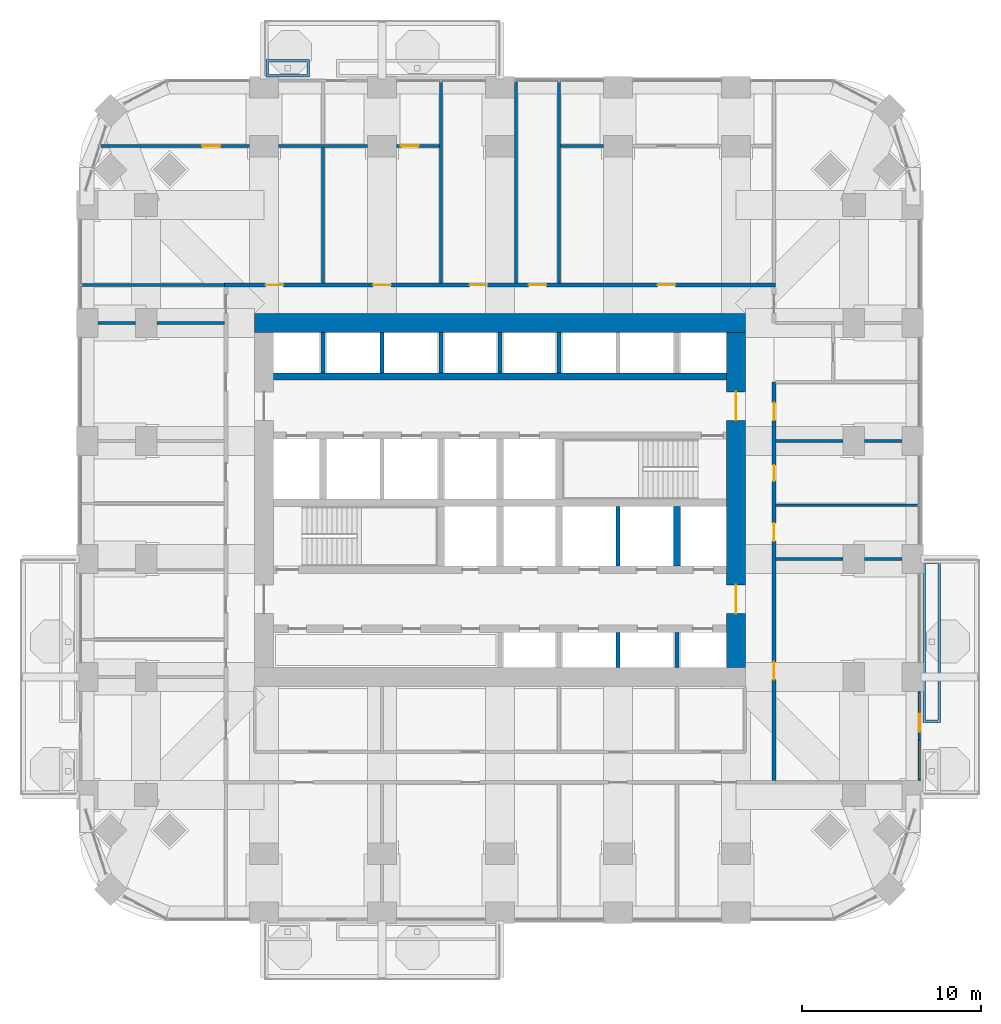
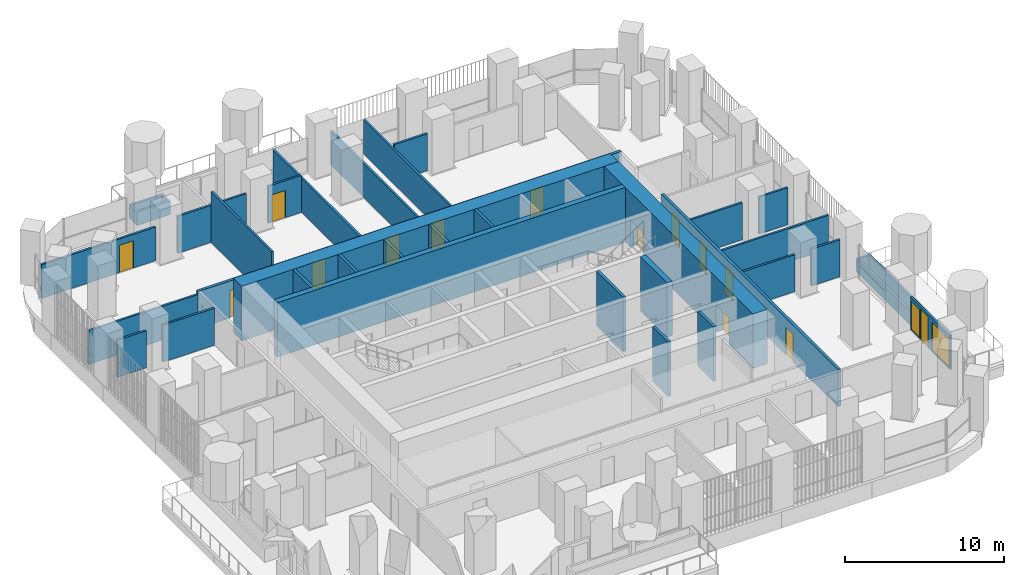
# One storey, part 15 of 21: 33 walls, 14 doors, 2 windows, 16 openings.
"""IFC4 building model written with IfcOpenShell, lengths in metres."""

from ifc_helpers import new_model, si_unit, direction, frame, frame_2d, origin, place, context, subcontext, project, spatial, polyline, rectangle, outline, extrude, material, layer, layer_set, type_object, element, fill, save


model = new_model("IFC4")

# Units and contexts
model_context = context("Model", 3, precision=1e-05, world=origin(), true_north=direction((0.0, 1.0)))
body_context = subcontext(model_context, "Body", "Model", "MODEL_VIEW")
ifc_project = project(units=[si_unit("LENGTHUNIT", "METRE"), si_unit("AREAUNIT", "SQUARE_METRE"), si_unit("VOLUMEUNIT", "CUBIC_METRE"), si_unit("PLANEANGLEUNIT", "RADIAN"), si_unit("MASSUNIT", "GRAM", prefix="KILO")], contexts=[model_context])

# Site, building, storey
site_placement = place(None, origin())
site = spatial("IfcSite", under=ifc_project, at=site_placement, CompositionType="ELEMENT")
building_placement = place(site_placement, origin())
building = spatial("IfcBuilding", under=site, at=building_placement, Name="Cobogo Forest Laboratory Tower", CompositionType="ELEMENT")
storey_placement = place(building_placement, frame((0.0, 0.0, 141.0)))
storey = spatial("IfcBuildingStorey", under=building, at=storey_placement, Name="L32", CompositionType="ELEMENT", Elevation=141.0)

# Walls
ifc_material_1 = material(Name="Concrete HA-50 (C50/60)", Category="concrete")
ifc_layer_1 = layer(ifc_material_1, 0.39990234375)
ifc_layer_set_1 = layer_set([ifc_layer_1], Name="CI400 core inner wall 400")
wall_type_1 = type_object("IfcWallType", Name="CI400 core inner wall 400", PredefinedType="SHEAR", material=ifc_layer_set_1)
wall_1_placement = place(storey_placement, frame((13.72509765625, 30.0, 0.0), z_axis=(0.0, 0.0, 1.0), x_axis=(1.0, 0.0, 0.0)))
element("IfcWall", 1, at=wall_1_placement, inside=storey, type_object=wall_type_1, Name="Core wall CI-30.0 L32", PredefinedType="SHEAR", context=body_context, shape_type="SweptSolid", body=[
    extrude(rectangle(XDim=25.349853515625, YDim=0.39990234375, at=frame_2d((12.6748046875, 0.0))), origin(), (0.0, 0.0, 1.0), 4.199951171875),
])
wall_2_placement = place(storey_placement, frame((36.300048828125, 19.39990234375, 0.0), z_axis=(0.0, 0.0, 1.0), x_axis=(0.0, 1.0, 0.0)))
element("IfcWall", 2, at=wall_2_placement, inside=storey, type_object=wall_type_1, Name="Core wall CX-36.3 L32", PredefinedType="SHEAR", context=body_context, shape_type="SweptSolid", body=[
    extrude(rectangle(XDim=3.35009765625, YDim=0.39990234375, at=frame_2d((1.675048828125, 0.0))), origin(), (0.0, 0.0, 1.0), 4.199951171875),
])

# Wall, openings, doors
ifc_layer_2 = layer(ifc_material_1, 1.050048828125)
ifc_layer_set_2 = layer_set([ifc_layer_2], Name="CW1050 core outer wall 1050")
wall_type_2 = type_object("IfcWallType", Name="CW1050 core outer wall 1050", PredefinedType="SHEAR", material=ifc_layer_set_2)
wall_3_placement = place(storey_placement, frame((39.60009765625, 13.72509765625, 0.0), z_axis=(0.0, 0.0, 1.0), x_axis=(0.0, 1.0, 0.0)))
wall_3 = element("IfcWall", 3, at=wall_3_placement, inside=storey, type_object=wall_type_2, Name="Core wall CO-E L32", PredefinedType="SHEAR", context=body_context, shape_type="SweptSolid", body=[
    extrude(rectangle(XDim=18.75, YDim=1.050048828125, at=frame_2d((9.375, 0.0))), origin(), (0.0, 0.0, 1.0), 4.199951171875),
])
opening_1_placement = place(wall_3_placement, frame((3.02490234375, 0.0, 0.0)))
opening_1 = element("IfcOpeningElement", 4, at=opening_1_placement, cuts=wall_3, Name="Opening L32-D21", PredefinedType="OPENING", context=body_context, shape_type="SweptSolid", body=[
    extrude(rectangle(XDim=1.60009765625, YDim=2.10009765625, at=frame_2d((0.800048828125, 1.050048828125))), frame((0.0, 0.534912109375, 0.0), z_axis=(0.0, -1.0, 0.0), x_axis=(1.0, 0.0, 0.0)), (0.0, 0.0, 1.0), 1.070068359375),
])
opening_2_placement = place(wall_3_placement, frame((13.824951171875, 0.0, 0.0)))
opening_2 = element("IfcOpeningElement", 5, at=opening_2_placement, cuts=wall_3, Name="Opening L32-D32", PredefinedType="OPENING", context=body_context, shape_type="SweptSolid", body=[
    extrude(rectangle(XDim=1.60009765625, YDim=2.10009765625, at=frame_2d((0.800048828125, 1.050048828125))), frame((0.0, 0.534912109375, 0.0), z_axis=(0.0, -1.0, 0.0), x_axis=(1.0, 0.0, 0.0)), (0.0, 0.0, 1.0), 1.070068359375),
])
ifc_material_2 = material(Name="Steel fire door", Category="steel")
door_type_1 = type_object("IfcDoorType", Name="DS2 protected lobby door pair 1600 EI2 60", OperationType="DOUBLE_DOOR_DOUBLE_SWING", PredefinedType="DOOR", material=ifc_material_2)
door_1_placement = place(opening_1_placement, origin())
door_1 = element("IfcDoor", 6, at=door_1_placement, inside=storey, type_object=door_type_1, Name="Door L32-CO-E-S", OperationType="DOUBLE_DOOR_DOUBLE_SWING", OverallHeight=2.10009765625, OverallWidth=1.60009765625, PredefinedType="DOOR", context=body_context, shape_type="SweptSolid", body=[
    extrude(rectangle(XDim=1.60009765625, YDim=2.10009765625, at=frame_2d((0.800048828125, 1.050048828125))), frame((0.0, 0.02490234375, 0.0), z_axis=(0.0, -1.0, 0.0), x_axis=(1.0, 0.0, 0.0)), (0.0, 0.0, 1.0), 0.050048828125),
])
fill(opening_1, door_1)
door_2_placement = place(opening_2_placement, origin())
door_2 = element("IfcDoor", 7, at=door_2_placement, inside=storey, type_object=door_type_1, Name="Door L32-CO-E-N", OperationType="DOUBLE_DOOR_DOUBLE_SWING", OverallHeight=2.10009765625, OverallWidth=1.60009765625, PredefinedType="DOOR", context=body_context, shape_type="SweptSolid", body=[
    extrude(rectangle(XDim=1.60009765625, YDim=2.10009765625, at=frame_2d((0.800048828125, 1.050048828125))), frame((0.0, 0.02490234375, 0.0), z_axis=(0.0, -1.0, 0.0), x_axis=(1.0, 0.0, 0.0)), (0.0, 0.0, 1.0), 0.050048828125),
])
fill(opening_2, door_2)

# Wall
wall_4_placement = place(storey_placement, frame((40.125, 33.0, 0.0), z_axis=(0.0, 0.0, 1.0), x_axis=(-1.0, 0.0, 0.0)))
element("IfcWall", 8, at=wall_4_placement, inside=storey, type_object=wall_type_2, Name="Core wall CO-N L32", PredefinedType="SHEAR", context=body_context, shape_type="SweptSolid", body=[
    extrude(rectangle(XDim=27.449951171875, YDim=1.050048828125, at=frame_2d((13.72509765625, 0.0))), origin(), (0.0, 0.0, 1.0), 4.199951171875),
])

# Wall, openings, door, windows
ifc_material_3 = material(Name="Aluminium framed glazed screen", Category="aluminium")
ifc_layer_3 = layer(ifc_material_3, 0.14990234375)
ifc_layer_set_3 = layer_set([ifc_layer_3], Name="GS1 glazed door screen 150")
wall_type_3 = type_object("IfcWallType", Name="GS1 glazed door screen 150", PredefinedType="SOLIDWALL", material=ifc_layer_set_3)
wall_5_placement = place(storey_placement, frame((49.85009765625, 7.39990234375, 0.0), z_axis=(0.0, 0.0, 1.0), x_axis=(0.0, 1.0, 0.0)))
wall_5 = element("IfcWall", 9, at=wall_5_placement, inside=storey, type_object=wall_type_3, Name="Door screen BAL-E1 L32", PredefinedType="SOLIDWALL", context=body_context, shape_type="SweptSolid", body=[
    extrude(rectangle(XDim=5.0, YDim=0.14990234375, at=frame_2d((2.5, 0.0))), origin(), (0.0, 0.0, 1.0), 2.60009765625),
])
opening_3_placement = place(wall_5_placement, frame((2.75, 0.0, 0.0)))
opening_3 = element("IfcOpeningElement", 10, at=opening_3_placement, cuts=wall_5, Name="Opening L32-D12", PredefinedType="OPENING", context=body_context, shape_type="SweptSolid", body=[
    extrude(rectangle(XDim=1.0, YDim=2.39990234375, at=frame_2d((0.5, 1.199951171875))), frame((0.0, 0.0849609375, 0.0), z_axis=(0.0, -1.0, 0.0), x_axis=(1.0, 0.0, 0.0)), (0.0, 0.0, 1.0), 0.169921875),
])
opening_4_placement = place(wall_5_placement, frame((0.10009765625, 0.0, 0.10009765625)))
opening_4 = element("IfcOpeningElement", 11, at=opening_4_placement, cuts=wall_5, Name="Opening L32-W04", PredefinedType="OPENING", context=body_context, shape_type="SweptSolid", body=[
    extrude(rectangle(XDim=2.14990234375, YDim=2.199951171875, at=frame_2d((1.074951171875, 1.10009765625))), frame((0.0, 0.0849609375, 0.0), z_axis=(0.0, -1.0, 0.0), x_axis=(1.0, 0.0, 0.0)), (0.0, 0.0, 1.0), 0.169921875),
])
opening_5_placement = place(wall_5_placement, frame((3.85009765625, 0.0, 0.10009765625)))
opening_5 = element("IfcOpeningElement", 12, at=opening_5_placement, cuts=wall_5, Name="Opening L32-W06", PredefinedType="OPENING", context=body_context, shape_type="SweptSolid", body=[
    extrude(rectangle(XDim=1.050048828125, YDim=2.199951171875, at=frame_2d((0.52490234375, 1.10009765625))), frame((0.0, 0.0849609375, 0.0), z_axis=(0.0, -1.0, 0.0), x_axis=(1.0, 0.0, 0.0)), (0.0, 0.0, 1.0), 0.169921875),
])
ifc_material_4 = material(Name="Aluminium glazed door", Category="aluminium")
door_type_2 = type_object("IfcDoorType", Name="DB1 balcony door 1000 glazed", OperationType="SINGLE_SWING_LEFT", PredefinedType="DOOR", material=ifc_material_4)
door_3_placement = place(opening_3_placement, origin())
door_3 = element("IfcDoor", 13, at=door_3_placement, inside=storey, type_object=door_type_2, Name="Door L32-BAL-E1", OperationType="SINGLE_SWING_RIGHT", OverallHeight=2.39990234375, OverallWidth=1.0, PredefinedType="DOOR", context=body_context, shape_type="SweptSolid", body=[
    extrude(rectangle(XDim=1.0, YDim=2.39990234375, at=frame_2d((0.5, 1.199951171875))), frame((0.0, 0.02490234375, 0.0), z_axis=(0.0, -1.0, 0.0), x_axis=(1.0, 0.0, 0.0)), (0.0, 0.0, 1.0), 0.050048828125),
])
fill(opening_3, door_3)
ifc_material_5 = material(Name="Aluminium framed glazing", Category="aluminium")
window_type_1 = type_object("IfcWindowType", Name="WG17 fixed glazed light 2150x2200", PartitioningType="SINGLE_PANEL", PredefinedType="WINDOW", material=ifc_material_5)
window_1_placement = place(opening_4_placement, origin())
window_1 = element("IfcWindow", 14, at=window_1_placement, inside=storey, type_object=window_type_1, Name="Window L32-BAL-E1-1", OverallHeight=2.199951171875, OverallWidth=2.14990234375, PartitioningType="SINGLE_PANEL", PredefinedType="WINDOW", context=body_context, shape_type="SweptSolid", body=[
    extrude(rectangle(XDim=2.14990234375, YDim=2.199951171875, at=frame_2d((1.074951171875, 1.10009765625))), frame((0.0, 0.030029296875, 0.0), z_axis=(0.0, -1.0, 0.0), x_axis=(1.0, 0.0, 0.0)), (0.0, 0.0, 1.0), 0.06005859375),
])
fill(opening_4, window_1)
window_type_2 = type_object("IfcWindowType", Name="WG18 fixed glazed light 1050x2200", PartitioningType="SINGLE_PANEL", PredefinedType="WINDOW", material=ifc_material_5)
window_2_placement = place(opening_5_placement, origin())
window_2 = element("IfcWindow", 15, at=window_2_placement, inside=storey, type_object=window_type_2, Name="Window L32-BAL-E1-2", OverallHeight=2.199951171875, OverallWidth=1.050048828125, PartitioningType="SINGLE_PANEL", PredefinedType="WINDOW", context=body_context, shape_type="SweptSolid", body=[
    extrude(rectangle(XDim=1.050048828125, YDim=2.199951171875, at=frame_2d((0.52490234375, 1.10009765625))), frame((0.0, 0.030029296875, 0.0), z_axis=(0.0, -1.0, 0.0), x_axis=(1.0, 0.0, 0.0)), (0.0, 0.0, 1.0), 0.06005859375),
])
fill(opening_5, window_2)

# Walls
ifc_material_6 = material(Name="Gypsum board on steel studs", Category="steel")
ifc_layer_4 = layer(ifc_material_6, 0.14990234375)
ifc_layer_set_4 = layer_set([ifc_layer_4], Name="PT1 laboratory partition 150")
wall_type_4 = type_object("IfcWallType", Name="PT1 laboratory partition 150", PredefinedType="PARTITIONING", material=ifc_layer_set_4)
for number, where, z_axis, x_axis, name in (
    (16, (3.030029296875, 35.125, 0.0), (0.0, 0.0, 1.0), (1.0, 0.0, 0.0), "Partition PW-NW L32"),
    (17, (49.77001953125, 22.800048828125, 0.0), (0.0, 0.0, 1.0), (-1.0, 0.0, 0.0), "Partition SVC-E1-1 L32"),
):
    element("IfcWall", number, at=place(storey_placement, frame(where, z_axis=z_axis, x_axis=x_axis)), inside=storey, type_object=wall_type_4, Name=name, PredefinedType="PARTITIONING", context=body_context, shape_type="SweptSolid", body=[
        extrude(rectangle(XDim=7.945068359375, YDim=0.14990234375, at=frame_2d((3.97265625, 0.0))), origin(), (0.0, 0.0, 1.0), 2.60009765625),
    ])
wall_6_placement = place(storey_placement, frame((48.89990234375, 26.39990234375, 0.0), z_axis=(0.0, 0.0, 1.0), x_axis=(-1.0, 0.0, 0.0)))
element("IfcWall", 18, at=wall_6_placement, inside=storey, type_object=wall_type_4, Name="Partition SVC-E2-1 L32", PredefinedType="PARTITIONING", context=body_context, shape_type="SweptSolid", body=[
    extrude(rectangle(XDim=2.099853515625, YDim=0.14990234375, at=frame_2d((1.0498046875, 0.0))), origin(), (0.0, 0.0, 1.0), 2.85009765625),
])
wall_7_placement = place(storey_placement, frame((45.60009765625, 26.39990234375, 0.0), z_axis=(0.0, 0.0, 1.0), x_axis=(-1.0, 0.0, 0.0)))
element("IfcWall", 19, at=wall_7_placement, inside=storey, type_object=wall_type_4, Name="Partition SVC-E2-2 L32", PredefinedType="PARTITIONING", context=body_context, shape_type="SweptSolid", body=[
    extrude(rectangle(XDim=3.775146484375, YDim=0.14990234375, at=frame_2d((1.8876953125, 0.0))), origin(), (0.0, 0.0, 1.0), 2.85009765625),
])
wall_8_placement = place(storey_placement, frame((48.89990234375, 19.800048828125, 0.0), z_axis=(0.0, 0.0, 1.0), x_axis=(-1.0, 0.0, 0.0)))
element("IfcWall", 20, at=wall_8_placement, inside=storey, type_object=wall_type_4, Name="Partition CUT-E19.8-1 L32", PredefinedType="PARTITIONING", context=body_context, shape_type="SweptSolid", body=[
    extrude(rectangle(XDim=2.099853515625, YDim=0.14990234375, at=frame_2d((1.0498046875, 0.0))), origin(), (0.0, 0.0, 1.0), 2.85009765625),
])
wall_9_placement = place(storey_placement, frame((45.60009765625, 19.800048828125, 0.0), z_axis=(0.0, 0.0, 1.0), x_axis=(-1.0, 0.0, 0.0)))
element("IfcWall", 21, at=wall_9_placement, inside=storey, type_object=wall_type_4, Name="Partition CUT-E19.8-2 L32", PredefinedType="PARTITIONING", context=body_context, shape_type="SweptSolid", body=[
    extrude(rectangle(XDim=3.775146484375, YDim=0.14990234375, at=frame_2d((1.8876953125, 0.0))), origin(), (0.0, 0.0, 1.0), 2.85009765625),
])
wall_10_placement = place(storey_placement, frame((32.199951171875, 42.89990234375, 0.0), z_axis=(0.0, 0.0, 1.0), x_axis=(-1.0, 0.0, 0.0)))
element("IfcWall", 22, at=wall_10_placement, inside=storey, type_object=wall_type_4, Name="Partition STRIP-N-3 L32", PredefinedType="PARTITIONING", context=body_context, shape_type="SweptSolid", body=[
    extrude(rectangle(XDim=2.425048828125, YDim=0.14990234375, at=frame_2d((1.21240234375, 0.0))), origin(), (0.0, 0.0, 1.0), 2.85009765625),
])

# Wall, opening, door
wall_11_placement = place(storey_placement, frame((23.02490234375, 42.89990234375, 0.0), z_axis=(0.0, 0.0, 1.0), x_axis=(-1.0, 0.0, 0.0)))
wall_11 = element("IfcWall", 23, at=wall_11_placement, inside=storey, type_object=wall_type_4, Name="Partition STRIP-N-4 L32", PredefinedType="PARTITIONING", context=body_context, shape_type="SweptSolid", body=[
    extrude(rectangle(XDim=2.4248046875, YDim=0.14990234375, at=frame_2d((1.21240234375, 0.0))), origin(), (0.0, 0.0, 1.0), 2.85009765625),
])
opening_6_placement = place(wall_11_placement, frame((1.175048828125, 0.0, 0.0)))
opening_6 = element("IfcOpeningElement", 24, at=opening_6_placement, cuts=wall_11, Name="Opening L32-D43", PredefinedType="OPENING", context=body_context, shape_type="SweptSolid", body=[
    extrude(rectangle(XDim=1.0, YDim=2.10009765625, at=frame_2d((0.5, 1.050048828125))), frame((0.0, 0.0849609375, 0.0), z_axis=(0.0, -1.0, 0.0), x_axis=(1.0, 0.0, 0.0)), (0.0, 0.0, 1.0), 0.169921875),
])
ifc_material_7 = material(Name="Timber fire door", Category="wood")
door_type_3 = type_object("IfcDoorType", Name="FD2 fire door 1000 EI2 30", OperationType="SINGLE_SWING_LEFT", PredefinedType="DOOR", material=ifc_material_7)
door_4_placement = place(opening_6_placement, origin())
door_4 = element("IfcDoor", 25, at=door_4_placement, inside=storey, type_object=door_type_3, Name="Door L32-N2W", OperationType="SINGLE_SWING_RIGHT", OverallHeight=2.10009765625, OverallWidth=1.0, PredefinedType="DOOR", context=body_context, shape_type="SweptSolid", body=[
    extrude(rectangle(XDim=1.0, YDim=2.10009765625, at=frame_2d((0.5, 1.050048828125))), frame((0.0, 0.02490234375, 0.0), z_axis=(0.0, -1.0, 0.0), x_axis=(1.0, 0.0, 0.0)), (0.0, 0.0, 1.0), 0.050048828125),
])
fill(opening_6, door_4)

# Wall
wall_12_placement = place(storey_placement, frame((19.0, 42.89990234375, 0.0), z_axis=(0.0, 0.0, 1.0), x_axis=(-1.0, 0.0, 0.0)))
element("IfcWall", 26, at=wall_12_placement, inside=storey, type_object=wall_type_4, Name="Partition STRIP-N-5 L32", PredefinedType="PARTITIONING", context=body_context, shape_type="SweptSolid", body=[
    extrude(rectangle(XDim=5.0, YDim=0.14990234375, at=frame_2d((2.5, 0.0))), origin(), (0.0, 0.0, 1.0), 2.85009765625),
])

# Wall, opening, door
wall_13_placement = place(storey_placement, frame((12.39990234375, 42.89990234375, 0.0), z_axis=(0.0, 0.0, 1.0), x_axis=(-1.0, 0.0, 0.0)))
wall_13 = element("IfcWall", 27, at=wall_13_placement, inside=storey, type_object=wall_type_4, Name="Partition STRIP-N-6 L32", PredefinedType="PARTITIONING", context=body_context, shape_type="SweptSolid", body=[
    extrude(rectangle(XDim=8.323974609375, YDim=0.14990234375, at=frame_2d((4.162109375, 0.0))), origin(), (0.0, 0.0, 1.0), 2.60009765625),
])
opening_7_placement = place(wall_13_placement, frame((1.64208984375, 0.0, 0.0)))
opening_7 = element("IfcOpeningElement", 28, at=opening_7_placement, cuts=wall_13, Name="Opening L32-D42", PredefinedType="OPENING", context=body_context, shape_type="SweptSolid", body=[
    extrude(rectangle(XDim=1.0, YDim=2.10009765625, at=frame_2d((0.5, 1.050048828125))), frame((0.0, 0.0849609375, 0.0), z_axis=(0.0, -1.0, 0.0), x_axis=(1.0, 0.0, 0.0)), (0.0, 0.0, 1.0), 0.169921875),
])
door_5_placement = place(opening_7_placement, origin())
door_5 = element("IfcDoor", 29, at=door_5_placement, inside=storey, type_object=door_type_3, Name="Door L32-N1W", OperationType="SINGLE_SWING_LEFT", OverallHeight=2.10009765625, OverallWidth=1.0, PredefinedType="DOOR", context=body_context, shape_type="SweptSolid", body=[
    extrude(rectangle(XDim=1.0, YDim=2.10009765625, at=frame_2d((0.5, 1.050048828125))), frame((0.0, 0.02490234375, 0.0), z_axis=(0.0, -1.0, 0.0), x_axis=(1.0, 0.0, 0.0)), (0.0, 0.0, 1.0), 0.050048828125),
])
fill(opening_7, door_5)

# Walls
wall_14_placement = place(storey_placement, frame((27.300048828125, 46.469970703125, 0.0), z_axis=(0.0, 0.0, 1.0), x_axis=(0.0, -1.0, 0.0)))
element("IfcWall", 30, at=wall_14_placement, inside=storey, type_object=wall_type_4, Name="Partition SVC-N1-1 L32", PredefinedType="PARTITIONING", context=body_context, shape_type="SweptSolid", body=[
    extrude(rectangle(XDim=11.244873046875, YDim=0.14990234375, at=frame_2d((5.62255859375, 0.0))), origin(), (0.0, 0.0, 1.0), 2.60009765625),
])
wall_15_placement = place(storey_placement, frame((16.5, 42.824951171875, 0.0), z_axis=(0.0, 0.0, 1.0), x_axis=(0.0, -1.0, 0.0)))
element("IfcWall", 31, at=wall_15_placement, inside=storey, type_object=wall_type_4, Name="Partition CUT-N16.5b-1 L32", PredefinedType="PARTITIONING", context=body_context, shape_type="SweptSolid", body=[
    extrude(rectangle(XDim=7.599853515625, YDim=0.14990234375, at=frame_2d((3.7998046875, 0.0))), origin(), (0.0, 0.0, 1.0), 3.89990234375),
])
for number, where, z_axis, x_axis, name in (
    (32, (23.10009765625, 46.469970703125, 0.0), (0.0, 0.0, 1.0), (0.0, -1.0, 0.0), "Partition CUT-N23.1-1 L32"),
    (33, (29.699951171875, 46.469970703125, 0.0), (0.0, 0.0, 1.0), (0.0, -1.0, 0.0), "Partition CUT-N29.7-1 L32"),
):
    element("IfcWall", number, at=place(storey_placement, frame(where, z_axis=z_axis, x_axis=x_axis)), inside=storey, type_object=wall_type_4, Name=name, PredefinedType="PARTITIONING", context=body_context, shape_type="SweptSolid", body=[
        extrude(rectangle(XDim=11.244873046875, YDim=0.14990234375, at=frame_2d((5.62255859375, 0.0))), origin(), (0.0, 0.0, 1.0), 2.60009765625),
    ])
wall_16_placement = place(storey_placement, frame((3.89990234375, 33.0, 0.0), z_axis=(0.0, 0.0, 1.0), x_axis=(1.0, 0.0, 0.0)))
element("IfcWall", 34, at=wall_16_placement, inside=storey, type_object=wall_type_4, Name="Partition CUT-W33-1 L32", PredefinedType="PARTITIONING", context=body_context, shape_type="SweptSolid", body=[
    extrude(rectangle(XDim=2.10009765625, YDim=0.14990234375, at=frame_2d((1.050048828125, 0.0))), origin(), (0.0, 0.0, 1.0), 2.85009765625),
])
wall_17_placement = place(storey_placement, frame((7.199951171875, 33.0, 0.0), z_axis=(0.0, 0.0, 1.0), x_axis=(1.0, 0.0, 0.0)))
element("IfcWall", 35, at=wall_17_placement, inside=storey, type_object=wall_type_4, Name="Partition CUT-W33-2 L32", PredefinedType="PARTITIONING", context=body_context, shape_type="SweptSolid", body=[
    extrude(rectangle(XDim=3.775146484375, YDim=0.14990234375, at=frame_2d((1.8876953125, 0.0))), origin(), (0.0, 0.0, 1.0), 2.85009765625),
])

# Wall, openings, doors
ifc_layer_5 = layer(ifc_material_6, 0.199951171875)
ifc_layer_set_5 = layer_set([ifc_layer_5], Name="PT2 fire-rated corridor partition 200")
wall_type_5 = type_object("IfcWallType", Name="PT2 fire-rated corridor partition 200", PredefinedType="PARTITIONING", material=ifc_layer_set_5)
wall_18_placement = place(storey_placement, frame((10.97509765625, 35.125, 0.0), z_axis=(0.0, 0.0, 1.0), x_axis=(1.0, 0.0, 0.0)))
wall_18 = element("IfcWall", 36, at=wall_18_placement, inside=storey, type_object=wall_type_5, Name="Partition CORR-N L32", PredefinedType="PARTITIONING", context=body_context, shape_type="SweptSolid", body=[
    extrude(rectangle(XDim=30.849853515625, YDim=0.199951171875, at=frame_2d((15.4248046875, 0.0))), origin(), (0.0, 0.0, 1.0), 2.85009765625),
])
opening_8_placement = place(wall_18_placement, frame((2.3125, 0.0, 0.0)))
opening_8 = element("IfcOpeningElement", 37, at=opening_8_placement, cuts=wall_18, Name="Opening L32-D37", PredefinedType="OPENING", context=body_context, shape_type="SweptSolid", body=[
    extrude(rectangle(XDim=1.0, YDim=2.10009765625, at=frame_2d((0.5, 1.050048828125))), frame((0.0, 0.10986328125, 0.0), z_axis=(0.0, -1.0, 0.0), x_axis=(1.0, 0.0, 0.0)), (0.0, 0.0, 1.0), 0.219970703125),
])
opening_9_placement = place(wall_18_placement, frame((8.324951171875, 0.0, 0.0)))
opening_9 = element("IfcOpeningElement", 38, at=opening_9_placement, cuts=wall_18, Name="Opening L32-D38", PredefinedType="OPENING", context=body_context, shape_type="SweptSolid", body=[
    extrude(rectangle(XDim=1.0, YDim=2.10009765625, at=frame_2d((0.5, 1.050048828125))), frame((0.0, 0.10986328125, 0.0), z_axis=(0.0, -1.0, 0.0), x_axis=(1.0, 0.0, 0.0)), (0.0, 0.0, 1.0), 0.219970703125),
])
opening_10_placement = place(wall_18_placement, frame((13.72509765625, 0.0, 0.0)))
opening_10 = element("IfcOpeningElement", 39, at=opening_10_placement, cuts=wall_18, Name="Opening L32-D39", PredefinedType="OPENING", context=body_context, shape_type="SweptSolid", body=[
    extrude(rectangle(XDim=1.0, YDim=2.10009765625, at=frame_2d((0.5, 1.050048828125))), frame((0.0, 0.10986328125, 0.0), z_axis=(0.0, -1.0, 0.0), x_axis=(1.0, 0.0, 0.0)), (0.0, 0.0, 1.0), 0.219970703125),
])
opening_11_placement = place(wall_18_placement, frame((17.02490234375, 0.0, 0.0)))
opening_11 = element("IfcOpeningElement", 40, at=opening_11_placement, cuts=wall_18, Name="Opening L32-D40", PredefinedType="OPENING", context=body_context, shape_type="SweptSolid", body=[
    extrude(rectangle(XDim=1.0, YDim=2.10009765625, at=frame_2d((0.5, 1.050048828125))), frame((0.0, 0.10986328125, 0.0), z_axis=(0.0, -1.0, 0.0), x_axis=(1.0, 0.0, 0.0)), (0.0, 0.0, 1.0), 0.219970703125),
])
opening_12_placement = place(wall_18_placement, frame((24.237548828125, 0.0, 0.0)))
opening_12 = element("IfcOpeningElement", 41, at=opening_12_placement, cuts=wall_18, Name="Opening L32-D41", PredefinedType="OPENING", context=body_context, shape_type="SweptSolid", body=[
    extrude(rectangle(XDim=1.0, YDim=2.10009765625, at=frame_2d((0.5, 1.050048828125))), frame((0.0, 0.10986328125, 0.0), z_axis=(0.0, -1.0, 0.0), x_axis=(1.0, 0.0, 0.0)), (0.0, 0.0, 1.0), 0.219970703125),
])
door_6_placement = place(opening_8_placement, origin())
door_6 = element("IfcDoor", 42, at=door_6_placement, inside=storey, type_object=door_type_3, Name="Door L32-N1", OperationType="SINGLE_SWING_LEFT", OverallHeight=2.10009765625, OverallWidth=1.0, PredefinedType="DOOR", context=body_context, shape_type="SweptSolid", body=[
    extrude(rectangle(XDim=1.0, YDim=2.10009765625, at=frame_2d((0.5, 1.050048828125))), frame((0.0, 0.02490234375, 0.0), z_axis=(0.0, -1.0, 0.0), x_axis=(1.0, 0.0, 0.0)), (0.0, 0.0, 1.0), 0.050048828125),
])
fill(opening_8, door_6)
door_7_placement = place(opening_9_placement, origin())
door_7 = element("IfcDoor", 43, at=door_7_placement, inside=storey, type_object=door_type_3, Name="Door L32-N2", OperationType="SINGLE_SWING_LEFT", OverallHeight=2.10009765625, OverallWidth=1.0, PredefinedType="DOOR", context=body_context, shape_type="SweptSolid", body=[
    extrude(rectangle(XDim=1.0, YDim=2.10009765625, at=frame_2d((0.5, 1.050048828125))), frame((0.0, 0.02490234375, 0.0), z_axis=(0.0, -1.0, 0.0), x_axis=(1.0, 0.0, 0.0)), (0.0, 0.0, 1.0), 0.050048828125),
])
fill(opening_9, door_7)
door_8_placement = place(opening_10_placement, origin())
door_8 = element("IfcDoor", 44, at=door_8_placement, inside=storey, type_object=door_type_3, Name="Door L32-MTG", OperationType="SINGLE_SWING_LEFT", OverallHeight=2.10009765625, OverallWidth=1.0, PredefinedType="DOOR", context=body_context, shape_type="SweptSolid", body=[
    extrude(rectangle(XDim=1.0, YDim=2.10009765625, at=frame_2d((0.5, 1.050048828125))), frame((0.0, 0.02490234375, 0.0), z_axis=(0.0, -1.0, 0.0), x_axis=(1.0, 0.0, 0.0)), (0.0, 0.0, 1.0), 0.050048828125),
])
fill(opening_10, door_8)
door_9_placement = place(opening_11_placement, origin())
door_9 = element("IfcDoor", 45, at=door_9_placement, inside=storey, type_object=door_type_3, Name="Door L32-PAN", OperationType="SINGLE_SWING_RIGHT", OverallHeight=2.10009765625, OverallWidth=1.0, PredefinedType="DOOR", context=body_context, shape_type="SweptSolid", body=[
    extrude(rectangle(XDim=1.0, YDim=2.10009765625, at=frame_2d((0.5, 1.050048828125))), frame((0.0, 0.02490234375, 0.0), z_axis=(0.0, -1.0, 0.0), x_axis=(1.0, 0.0, 0.0)), (0.0, 0.0, 1.0), 0.050048828125),
])
fill(opening_11, door_9)
door_10_placement = place(opening_12_placement, origin())
door_10 = element("IfcDoor", 46, at=door_10_placement, inside=storey, type_object=door_type_3, Name="Door L32-N4", OperationType="SINGLE_SWING_RIGHT", OverallHeight=2.10009765625, OverallWidth=1.0, PredefinedType="DOOR", context=body_context, shape_type="SweptSolid", body=[
    extrude(rectangle(XDim=1.0, YDim=2.10009765625, at=frame_2d((0.5, 1.050048828125))), frame((0.0, 0.02490234375, 0.0), z_axis=(0.0, -1.0, 0.0), x_axis=(1.0, 0.0, 0.0)), (0.0, 0.0, 1.0), 0.050048828125),
])
fill(opening_12, door_10)

wall_19_placement = place(storey_placement, frame((41.72509765625, 7.39990234375, 0.0), z_axis=(0.0, 0.0, 1.0), x_axis=(0.0, 1.0, 0.0)))
wall_19 = element("IfcWall", 47, at=wall_19_placement, inside=storey, type_object=wall_type_5, Name="Partition CORR-E-1 L32", PredefinedType="PARTITIONING", context=body_context, shape_type="SweptSolid", body=[
    extrude(rectangle(XDim=22.300048828125, YDim=0.199951171875, at=frame_2d((11.14990234375, 0.0))), origin(), (0.0, 0.0, 1.0), 2.85009765625),
])
opening_13_placement = place(wall_19_placement, frame((5.64990234375, 0.0, 0.0)))
opening_13 = element("IfcOpeningElement", 48, at=opening_13_placement, cuts=wall_19, Name="Opening L32-D13", PredefinedType="OPENING", context=body_context, shape_type="SweptSolid", body=[
    extrude(rectangle(XDim=1.0, YDim=2.10009765625, at=frame_2d((0.5, 1.050048828125))), frame((0.0, 0.10986328125, 0.0), z_axis=(0.0, -1.0, 0.0), x_axis=(1.0, 0.0, 0.0)), (0.0, 0.0, 1.0), 0.219970703125),
])
opening_14_placement = place(wall_19_placement, frame((13.39990234375, 0.0, 0.0)))
opening_14 = element("IfcOpeningElement", 49, at=opening_14_placement, cuts=wall_19, Name="Opening L32-D26", PredefinedType="OPENING", context=body_context, shape_type="SweptSolid", body=[
    extrude(rectangle(XDim=1.0, YDim=2.10009765625, at=frame_2d((0.5, 1.050048828125))), frame((0.0, 0.10986328125, 0.0), z_axis=(0.0, -1.0, 0.0), x_axis=(1.0, 0.0, 0.0)), (0.0, 0.0, 1.0), 0.219970703125),
])
opening_15_placement = place(wall_19_placement, frame((16.75, 0.0, 0.0)))
opening_15 = element("IfcOpeningElement", 50, at=opening_15_placement, cuts=wall_19, Name="Opening L32-D27", PredefinedType="OPENING", context=body_context, shape_type="SweptSolid", body=[
    extrude(rectangle(XDim=0.89990234375, YDim=2.10009765625, at=frame_2d((0.449951171875, 1.050048828125))), frame((0.0, 0.10986328125, 0.0), z_axis=(0.0, -1.0, 0.0), x_axis=(1.0, 0.0, 0.0)), (0.0, 0.0, 1.0), 0.219970703125),
])
opening_16_placement = place(wall_19_placement, frame((20.14990234375, 0.0, 0.0)))
opening_16 = element("IfcOpeningElement", 51, at=opening_16_placement, cuts=wall_19, Name="Opening L32-D30", PredefinedType="OPENING", context=body_context, shape_type="SweptSolid", body=[
    extrude(rectangle(XDim=1.0, YDim=2.10009765625, at=frame_2d((0.5, 1.050048828125))), frame((0.0, 0.10986328125, 0.0), z_axis=(0.0, -1.0, 0.0), x_axis=(1.0, 0.0, 0.0)), (0.0, 0.0, 1.0), 0.219970703125),
])
door_type_4 = type_object("IfcDoorType", Name="FD1 fire door 1000 EI2 60", OperationType="SINGLE_SWING_LEFT", PredefinedType="DOOR", material=ifc_material_2)
door_11_placement = place(opening_14_placement, origin())
door_11 = element("IfcDoor", 52, at=door_11_placement, inside=storey, type_object=door_type_4, Name="Door L32-ELEC", OperationType="SINGLE_SWING_RIGHT", OverallHeight=2.10009765625, OverallWidth=1.0, PredefinedType="DOOR", context=body_context, shape_type="SweptSolid", body=[
    extrude(rectangle(XDim=1.0, YDim=2.10009765625, at=frame_2d((0.5, 1.050048828125))), frame((0.0, 0.02490234375, 0.0), z_axis=(0.0, -1.0, 0.0), x_axis=(1.0, 0.0, 0.0)), (0.0, 0.0, 1.0), 0.050048828125),
])
fill(opening_14, door_11)
door_12_placement = place(opening_13_placement, origin())
door_12 = element("IfcDoor", 53, at=door_12_placement, inside=storey, type_object=door_type_3, Name="Door L32-E1", OperationType="SINGLE_SWING_LEFT", OverallHeight=2.10009765625, OverallWidth=1.0, PredefinedType="DOOR", context=body_context, shape_type="SweptSolid", body=[
    extrude(rectangle(XDim=1.0, YDim=2.10009765625, at=frame_2d((0.5, 1.050048828125))), frame((0.0, 0.02490234375, 0.0), z_axis=(0.0, -1.0, 0.0), x_axis=(1.0, 0.0, 0.0)), (0.0, 0.0, 1.0), 0.050048828125),
])
fill(opening_13, door_12)
door_13_placement = place(opening_16_placement, origin())
door_13 = element("IfcDoor", 54, at=door_13_placement, inside=storey, type_object=door_type_3, Name="Door L32-E2", OperationType="SINGLE_SWING_RIGHT", OverallHeight=2.10009765625, OverallWidth=1.0, PredefinedType="DOOR", context=body_context, shape_type="SweptSolid", body=[
    extrude(rectangle(XDim=1.0, YDim=2.10009765625, at=frame_2d((0.5, 1.050048828125))), frame((0.0, 0.02490234375, 0.0), z_axis=(0.0, -1.0, 0.0), x_axis=(1.0, 0.0, 0.0)), (0.0, 0.0, 1.0), 0.050048828125),
])
fill(opening_16, door_13)
door_type_5 = type_object("IfcDoorType", Name="FD4 riser access door 900 EI2 60", OperationType="SINGLE_SWING_LEFT", PredefinedType="DOOR", material=ifc_material_2)
door_14_placement = place(opening_15_placement, origin())
door_14 = element("IfcDoor", 55, at=door_14_placement, inside=storey, type_object=door_type_5, Name="Door L32-COMMS", OperationType="SINGLE_SWING_RIGHT", OverallHeight=2.10009765625, OverallWidth=0.89990234375, PredefinedType="DOOR", context=body_context, shape_type="SweptSolid", body=[
    extrude(rectangle(XDim=0.89990234375, YDim=2.10009765625, at=frame_2d((0.449951171875, 1.050048828125))), frame((0.0, 0.02490234375, 0.0), z_axis=(0.0, -1.0, 0.0), x_axis=(1.0, 0.0, 0.0)), (0.0, 0.0, 1.0), 0.050048828125),
])
fill(opening_15, door_14)

# Walls
ifc_material_8 = material(Name="Concrete HA-40 (C40/50)", Category="concrete")
ifc_layer_6 = layer(ifc_material_8, 0.14990234375)
ifc_layer_set_6 = layer_set([ifc_layer_6], Name="Planter box 1000x1050")
wall_type_6 = type_object("IfcWallType", Name="Planter box 1000x1050", PredefinedType="USERDEFINED", material=ifc_layer_set_6)
wall_20_placement = place(storey_placement, origin())
element("IfcWall", 56, at=wall_20_placement, inside=storey, type_object=wall_type_6, Name="Planter BAL-E1-2 L32", ObjectType="PLANTER", PredefinedType="USERDEFINED", context=body_context, shape_type="SweptSolid", body=[
    extrude(outline(polyline([(50.050048828125, 10.64990234375), (51.050048828125, 10.64990234375), (51.050048828125, 19.699951171875), (50.050048828125, 19.699951171875), (50.050048828125, 10.64990234375)]), holes=[polyline([(50.199951171875, 10.800048828125), (50.89990234375, 10.800048828125), (50.89990234375, 19.550048828125), (50.199951171875, 19.550048828125), (50.199951171875, 10.800048828125)])]), origin(), (0.0, 0.0, 1.0), 1.050048828125),
])
wall_21_placement = place(storey_placement, origin())
element("IfcWall", 57, at=wall_21_placement, inside=storey, type_object=wall_type_6, Name="Planter BAL-N1-1 L32", ObjectType="PLANTER", PredefinedType="USERDEFINED", context=body_context, shape_type="SweptSolid", body=[
    extrude(outline(polyline([(13.300048828125, 46.75), (15.75, 46.75), (15.75, 47.75), (13.300048828125, 47.75), (13.300048828125, 46.75)]), holes=[polyline([(13.449951171875, 46.89990234375), (15.60009765625, 46.89990234375), (15.60009765625, 47.60009765625), (13.449951171875, 47.60009765625), (13.449951171875, 46.89990234375)])]), origin(), (0.0, 0.0, 1.0), 1.050048828125),
])
ifc_material_9 = material(Name="Concrete block", Category="concrete")
ifc_layer_7 = layer(ifc_material_9, 0.199951171875)
ifc_layer_set_7 = layer_set([ifc_layer_7], Name="SW200 lift shaft separator 200")
wall_type_7 = type_object("IfcWallType", Name="SW200 lift shaft separator 200", PredefinedType="PARTITIONING", material=ifc_layer_set_7)
for number, where, z_axis, x_axis, name in (
    (58, (16.5, 30.199951171875, 0.0), (0.0, 0.0, 1.0), (0.0, 1.0, 0.0), "Core wall SEP-N1 L32"),
    (59, (19.800048828125, 30.199951171875, 0.0), (0.0, 0.0, 1.0), (0.0, 1.0, 0.0), "Core wall SEP-N2 L32"),
    (60, (23.10009765625, 30.199951171875, 0.0), (0.0, 0.0, 1.0), (0.0, 1.0, 0.0), "Core wall SEP-N3 L32"),
    (61, (26.39990234375, 30.199951171875, 0.0), (0.0, 0.0, 1.0), (0.0, 1.0, 0.0), "Core wall SEP-N4 L32"),
    (62, (29.699951171875, 30.199951171875, 0.0), (0.0, 0.0, 1.0), (0.0, 1.0, 0.0), "Core wall SEP-N5 L32"),
):
    element("IfcWall", number, at=place(storey_placement, frame(where, z_axis=z_axis, x_axis=x_axis)), inside=storey, type_object=wall_type_7, Name=name, PredefinedType="PARTITIONING", context=body_context, shape_type="SweptSolid", body=[
        extrude(rectangle(XDim=2.275146484375, YDim=0.199951171875, at=frame_2d((1.1376953125, 0.0))), origin(), (0.0, 0.0, 1.0), 4.199951171875),
    ])
for number, where, z_axis, x_axis, name in (
    (63, (33.0, 13.72509765625, 0.0), (0.0, 0.0, 1.0), (0.0, 1.0, 0.0), "Core wall SEP-S6 L32"),
    (64, (36.300048828125, 13.72509765625, 0.0), (0.0, 0.0, 1.0), (0.0, 1.0, 0.0), "Core wall SEP-S7 L32"),
):
    element("IfcWall", number, at=place(storey_placement, frame(where, z_axis=z_axis, x_axis=x_axis)), inside=storey, type_object=wall_type_7, Name=name, PredefinedType="PARTITIONING", context=body_context, shape_type="SweptSolid", body=[
        extrude(rectangle(XDim=1.974853515625, YDim=0.199951171875, at=frame_2d((0.9873046875, 0.0))), origin(), (0.0, 0.0, 1.0), 4.199951171875),
    ])
wall_22_placement = place(storey_placement, frame((33.0, 19.39990234375, 0.0), z_axis=(0.0, 0.0, 1.0), x_axis=(0.0, 1.0, 0.0)))
element("IfcWall", 65, at=wall_22_placement, inside=storey, type_object=wall_type_7, Name="Core wall SEP-M33.0 L32", PredefinedType="PARTITIONING", context=body_context, shape_type="SweptSolid", body=[
    extrude(rectangle(XDim=3.35009765625, YDim=0.199951171875, at=frame_2d((1.675048828125, 0.0))), origin(), (0.0, 0.0, 1.0), 4.199951171875),
])

save(model, "model.ifc")
